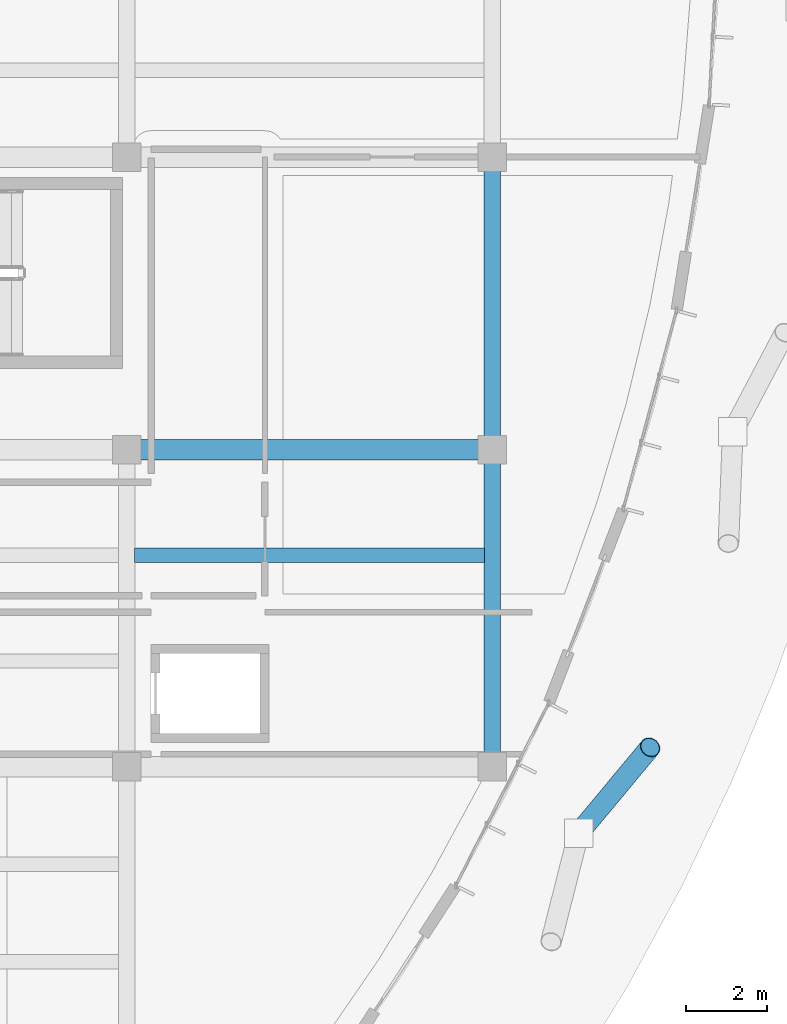
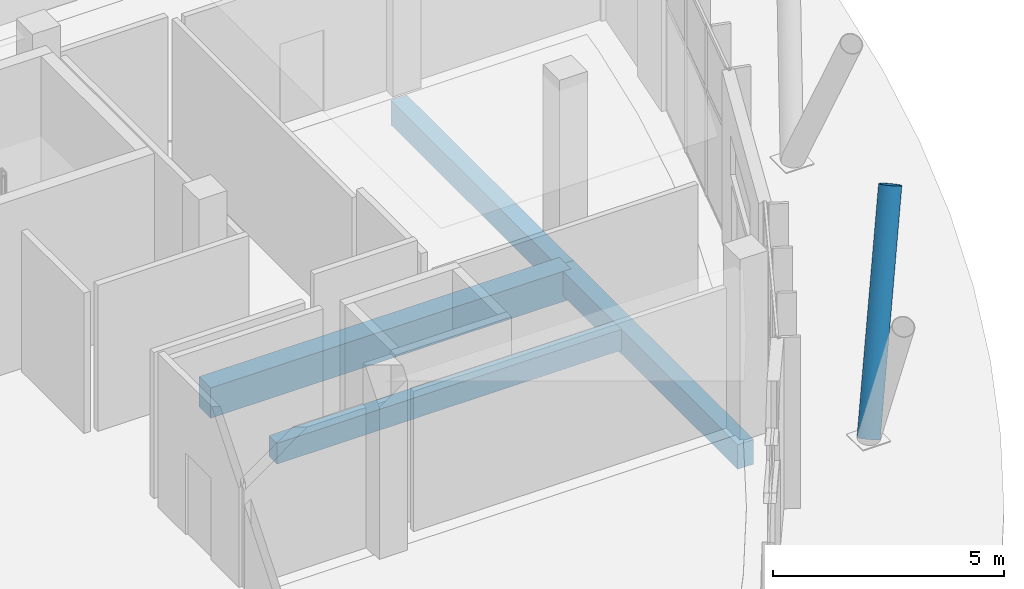
# One storey, part 81 of 151: 4 beams, 1 member.
"""IFC4 building model written with IfcOpenShell, lengths in metres."""

from ifc_helpers import new_model, si_unit, direction, frame, origin, origin_2d, place, context, subcontext, project, spatial, rectangle, hollow_circle, extrude, material, material_profile, profile_set, type_object, element, save


model = new_model("IFC4")

# Units and contexts
model_context = context("Model", 3, precision=1e-05, world=origin(), true_north=direction((0.0, 1.0)))
body_context = subcontext(model_context, "Body", "Model", "MODEL_VIEW")
ifc_project = project(units=[si_unit("LENGTHUNIT", "METRE"), si_unit("AREAUNIT", "SQUARE_METRE"), si_unit("VOLUMEUNIT", "CUBIC_METRE"), si_unit("PLANEANGLEUNIT", "RADIAN"), si_unit("MASSUNIT", "GRAM", prefix="KILO")], contexts=[model_context])

# Site, building, storey
site_placement = place(None, origin())
site = spatial("IfcSite", under=ifc_project, at=site_placement, CompositionType="ELEMENT")
building_placement = place(site_placement, origin())
building = spatial("IfcBuilding", under=site, at=building_placement, Name="Chiffa Square Polytechnic", CompositionType="ELEMENT")
storey_placement = place(building_placement, origin())
storey = spatial("IfcBuildingStorey", under=building, at=storey_placement, Name="L00", CompositionType="ELEMENT", Elevation=0.0)

# Beams
ifc_material_1 = material(Name="Concrete C35/45", Category="concrete")
ifc_material_profile_1 = material_profile(ifc_material_1, rectangle(XDim=0.39990234375, YDim=0.64990234375, at=origin_2d()), Name="RC 400x650")
ifc_profile_set_1 = profile_set([ifc_material_profile_1], Name="Concrete C35/45")
beam_type_1 = type_object("IfcBeamType", Name="BM-RC-400X650", PredefinedType="BEAM", material=ifc_profile_set_1)
beam_1_placement = place(storey_placement, frame((166.199951171875, 36.0, -0.675048828125), z_axis=(0.0, 1.0, 0.0), x_axis=(-1.0, 0.0, 0.0)))
element("IfcBeam", 1, at=beam_1_placement, inside=storey, type_object=beam_type_1, Name="Primary floor girder BM-V1-L00-Y-1662-0360", PredefinedType="BEAM", context=body_context, shape_type="SweptSolid", body=[
    extrude(rectangle(XDim=0.39990234375, YDim=0.64990234375, at=origin_2d()), origin(), (0.0, 0.0, 1.0), 7.800048828125),
])
beam_2_placement = place(storey_placement, frame((166.199951171875, 43.800048828125, -0.675048828125), z_axis=(0.0, 1.0, 0.0), x_axis=(-1.0, 0.0, 0.0)))
element("IfcBeam", 2, at=beam_2_placement, inside=storey, type_object=beam_type_1, Name="Primary floor girder BM-V1-L00-Y-1662-0438", PredefinedType="BEAM", context=body_context, shape_type="SweptSolid", body=[
    extrude(rectangle(XDim=0.39990234375, YDim=0.64990234375, at=origin_2d()), origin(), (0.0, 0.0, 1.0), 7.199951171875),
])
ifc_material_2 = material(Name="Concrete C40/50", Category="concrete")
ifc_material_profile_2 = material_profile(ifc_material_2, rectangle(XDim=0.5, YDim=0.800048828125, at=origin_2d()), Name="RC 500x800")
ifc_profile_set_2 = profile_set([ifc_material_profile_2], Name="Concrete C40/50")
beam_type_2 = type_object("IfcBeamType", Name="BM-RC-500X800", PredefinedType="BEAM", material=ifc_profile_set_2)
beam_3_placement = place(storey_placement, frame((157.199951171875, 43.800048828125, -0.75), z_axis=(1.0, 0.0, 0.0), x_axis=(0.0, 1.0, 0.0)))
element("IfcBeam", 3, at=beam_3_placement, inside=storey, type_object=beam_type_2, Name="Primary floor girder BM-V1-L00-X-1572-0438", PredefinedType="BEAM", context=body_context, shape_type="SweptSolid", body=[
    extrude(rectangle(XDim=0.5, YDim=0.800048828125, at=origin_2d()), origin(), (0.0, 0.0, 1.0), 9.0),
])

# Member
ifc_material_3 = material(Name="Steel S355", Category="steel")
ifc_material_profile_3 = material_profile(ifc_material_3, hollow_circle(Radius=0.25390625, WallThickness=0.01611328125, at=origin_2d()), Name="CHS 508x16")
ifc_profile_set_3 = profile_set([ifc_material_profile_3], Name="Steel S355")
member_type = type_object("IfcMemberType", Name="COL-VSTRUT-508", PredefinedType="STRUT", material=ifc_profile_set_3)
member_placement = place(storey_placement, frame((168.322021484375, 34.35888671875, 0.0), z_axis=(0.318376667052, 0.382563732392, 0.867341506291), x_axis=(-0.768642492566, 0.639678605725, 0.0)))
element("IfcMember", 4, at=member_placement, inside=storey, type_object=member_type, Name="Prow steel V-strut CV-V1-L00-07R", PredefinedType="STRUT", context=body_context, shape_type="SweptSolid", body=[
    extrude(hollow_circle(Radius=0.25390625, WallThickness=0.01611328125, at=origin_2d()), origin(), (0.0, 0.0, 1.0), 5.5341796875),
])

# Beam
ifc_material_profile_4 = material_profile(ifc_material_1, rectangle(XDim=0.35009765625, YDim=0.550048828125, at=origin_2d()), Name="RC 350x550")
ifc_profile_set_4 = profile_set([ifc_material_profile_4], Name="Concrete C35/45")
beam_type_3 = type_object("IfcBeamType", Name="JST-RC-350X550", PredefinedType="JOIST", material=ifc_profile_set_4)
beam_4_placement = place(storey_placement, frame((157.39794921875, 41.199951171875, -0.625), z_axis=(1.0, 0.0, 0.0), x_axis=(0.0, 1.0, 0.0)))
element("IfcBeam", 5, at=beam_4_placement, inside=storey, type_object=beam_type_3, Name="Secondary floor joist JST-V1-L00-1572-0412", PredefinedType="JOIST", context=body_context, shape_type="SweptSolid", body=[
    extrude(rectangle(XDim=0.35009765625, YDim=0.550048828125, at=origin_2d()), origin(), (0.0, 0.0, 1.0), 8.60400390625),
])

save(model, "model.ifc")
